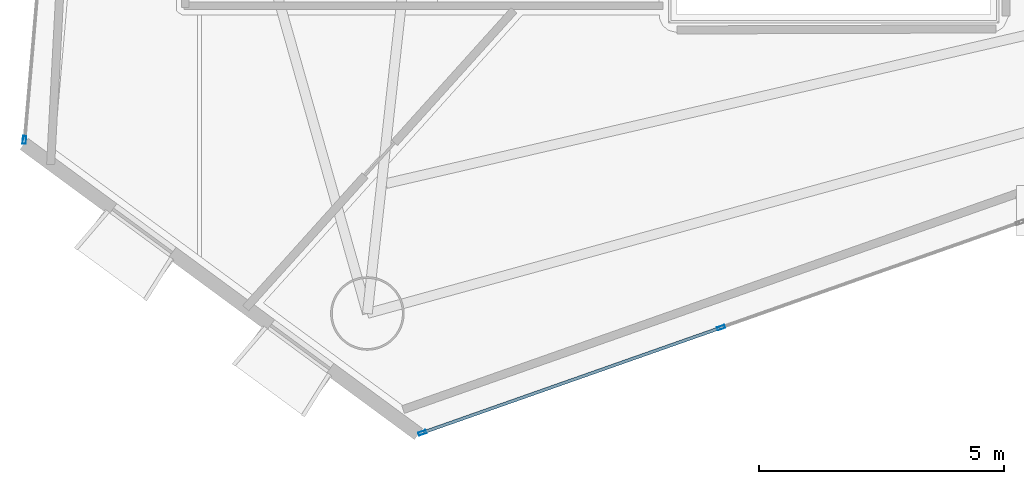
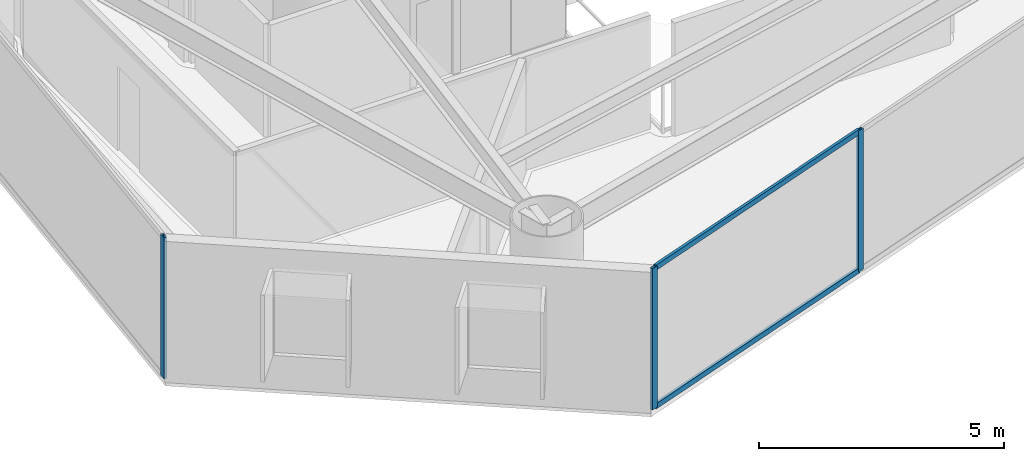
# One storey, part 2 of 19: 5 members, 2 elements without a shape of their own.
"""IFC4 building model written with IfcOpenShell, lengths in metres."""

from ifc_helpers import new_model, si_unit, direction, frame, origin, origin_2d, place, context, subcontext, project, spatial, hollow_rectangle, extrude, material, layer, layer_set, material_profile, profile_set, type_object, element, aggregate, save


model = new_model("IFC4")

# Units and contexts
model_context = context("Model", 3, precision=1e-05, world=origin(), true_north=direction((0.0, 1.0)))
body_context = subcontext(model_context, "Body", "Model", "MODEL_VIEW")
ifc_project = project(units=[si_unit("LENGTHUNIT", "METRE"), si_unit("AREAUNIT", "SQUARE_METRE"), si_unit("VOLUMEUNIT", "CUBIC_METRE"), si_unit("PLANEANGLEUNIT", "RADIAN"), si_unit("MASSUNIT", "GRAM", prefix="KILO")], contexts=[model_context])

# Site, building, storey
site_placement = place(None, origin())
site = spatial("IfcSite", under=ifc_project, at=site_placement, CompositionType="ELEMENT")
building_placement = place(site_placement, origin())
building = spatial("IfcBuilding", under=site, at=building_placement, Name="Qianvela Tower", CompositionType="ELEMENT")
storey_placement = place(building_placement, frame((0.0, 0.0, 123.699951171875)))
storey = spatial("IfcBuildingStorey", under=building, at=storey_placement, Name="L31", CompositionType="ELEMENT", Elevation=123.699951171875)

# Curtain wall, member
ifc_material_1 = material(Name="Anodised Architectural Aluminium and Low-E Glass", Category="aluminium")
ifc_layer = layer(ifc_material_1, 0.169921875)
ifc_layer_set = layer_set([ifc_layer], Name="Anodised Architectural Aluminium and Low-E Glass")
curtain_wall_type = type_object("IfcCurtainWallType", Name="CW-COLIV-Z34", PredefinedType="USERDEFINED", material=ifc_layer_set)
curtain_wall_1_placement = place(storey_placement, origin())
curtain_wall_1 = element("IfcCurtainWall", 1, at=curtain_wall_1_placement, inside=storey, type_object=curtain_wall_type, Name="L31 CW-COLIV-Z34 Curtain Wall 04C", ObjectType="CURTAIN_WALL_SYSTEM", PredefinedType="USERDEFINED")
ifc_material_2 = material(Name="Anodised Architectural Aluminium 6063-T6", Category="aluminium")
ifc_material_profile_1 = material_profile(ifc_material_2, hollow_rectangle(XDim=0.06494140625, YDim=0.159912109375, WallThickness=0.0048828125, at=origin_2d()), Name="ALU-MULL-65x160")
ifc_profile_set_1 = profile_set([ifc_material_profile_1], Name="Anodised Architectural Aluminium 6063-T6")
member_type_1 = type_object("IfcMemberType", Name="CW-COLIV-Z34-MULL", PredefinedType="MULLION", material=ifc_profile_set_1)
member_1_placement = place(storey_placement, frame((20.300537109375, 15.4482421875, 0.0), z_axis=(0.0, 0.0, 1.0), x_axis=(0.996255343657, -0.086459760786, 0.0)))
member_1 = element("IfcMember", 2, at=member_1_placement, type_object=member_type_1, Name="CW-4 mullion 2", PredefinedType="MULLION", context=body_context, shape_type="SweptSolid", body=[
    extrude(hollow_rectangle(XDim=0.06494140625, YDim=0.159912109375, WallThickness=0.0048828125, at=origin_2d()), origin(), (0.0, 0.0, 1.0), 3.52001953125),
])
aggregate(curtain_wall_1, [member_1])

# Curtain wall, members
curtain_wall_2_placement = place(storey_placement, origin())
curtain_wall_2 = element("IfcCurtainWall", 3, at=curtain_wall_2_placement, inside=storey, type_object=curtain_wall_type, Name="L31 CW-COLIV-Z34 Curtain Wall 06A", ObjectType="CURTAIN_WALL_SYSTEM", PredefinedType="USERDEFINED")
member_2_placement = place(storey_placement, frame((28.412353515625, 9.476806640625, 0.0), z_axis=(0.0, 0.0, 1.0), x_axis=(-0.332050299696, 0.943261680803, 0.0)))
member_2 = element("IfcMember", 4, at=member_2_placement, type_object=member_type_1, Name="CW-4 mullion 1", PredefinedType="MULLION", context=body_context, shape_type="SweptSolid", body=[
    extrude(hollow_rectangle(XDim=0.06494140625, YDim=0.159912109375, WallThickness=0.0048828125, at=origin_2d()), origin(), (0.0, 0.0, 1.0), 3.52001953125),
])
member_3_placement = place(storey_placement, frame((34.50341796875, 11.62109375, 0.0), z_axis=(0.0, 0.0, 1.0), x_axis=(-0.332050299696, 0.943261680803, 0.0)))
member_3 = element("IfcMember", 5, at=member_3_placement, type_object=member_type_1, Name="CW-4 mullion 2", PredefinedType="MULLION", context=body_context, shape_type="SweptSolid", body=[
    extrude(hollow_rectangle(XDim=0.06494140625, YDim=0.159912109375, WallThickness=0.0048828125, at=origin_2d()), origin(), (0.0, 0.0, 1.0), 3.52001953125),
])
ifc_material_3 = material(Name="Anodised Architectural Aluminium 6063-T6", Category="aluminium")
ifc_material_profile_2 = material_profile(ifc_material_3, hollow_rectangle(XDim=0.06494140625, YDim=0.1298828125, WallThickness=0.00439453125, at=origin_2d()), Name="ALU-TRAN-65x130")
ifc_profile_set_2 = profile_set([ifc_material_profile_2], Name="Anodised Architectural Aluminium 6063-T6")
member_type_2 = type_object("IfcMemberType", Name="CW-COLIV-Z34-TRAN", PredefinedType="USERDEFINED", material=ifc_profile_set_2)
member_4_placement = place(storey_placement, frame((28.443115234375, 9.487548828125, 0.032470703125), z_axis=(0.943264993825, 0.332040888182, 0.0), x_axis=(-0.332040888182, 0.943264993825, 0.0)))
member_4 = element("IfcMember", 6, at=member_4_placement, type_object=member_type_2, Name="CW-4 transom 1.1", ObjectType="TRANSOM", PredefinedType="USERDEFINED", context=body_context, shape_type="SweptSolid", body=[
    extrude(hollow_rectangle(XDim=0.06494140625, YDim=0.1298828125, WallThickness=0.00439453125, at=origin_2d()), origin(), (0.0, 0.0, 1.0), 6.392578125),
])
member_5_placement = place(storey_placement, frame((28.443115234375, 9.487548828125, 3.487548828125), z_axis=(0.943264993825, 0.332040888182, 0.0), x_axis=(-0.332040888182, 0.943264993825, 0.0)))
member_5 = element("IfcMember", 7, at=member_5_placement, type_object=member_type_2, Name="CW-4 transom 1.2", ObjectType="TRANSOM", PredefinedType="USERDEFINED", context=body_context, shape_type="SweptSolid", body=[
    extrude(hollow_rectangle(XDim=0.06494140625, YDim=0.1298828125, WallThickness=0.00439453125, at=origin_2d()), origin(), (0.0, 0.0, 1.0), 6.392578125),
])
aggregate(curtain_wall_2, [member_2, member_3, member_4, member_5])

save(model, "model.ifc")
